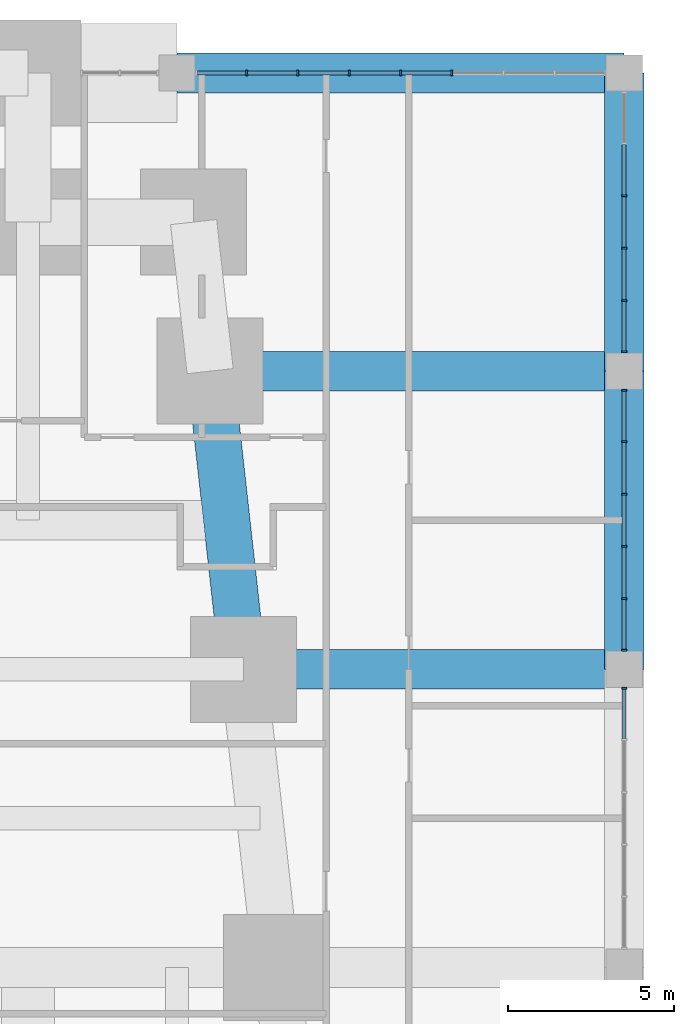
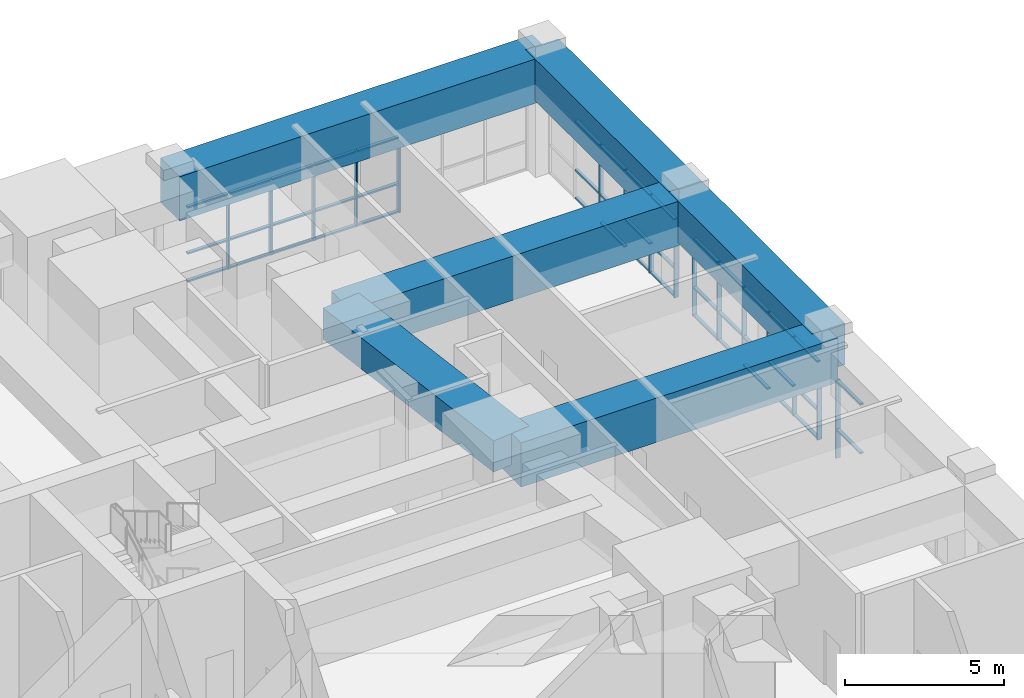
# One storey, part 12 of 22: 60 members, 6 beams, 4 elements without a shape of their own.
"""IFC4 building model written with IfcOpenShell, lengths in metres."""

from ifc_helpers import new_model, si_unit, direction, frame, origin, origin_2d, place, context, subcontext, project, spatial, rectangle, extrude, material, material_profile, profile_set, type_object, element, aggregate, save


model = new_model("IFC4")

# Units and contexts
model_context = context("Model", 3, precision=1e-05, world=origin(), true_north=direction((0.0, 1.0)))
body_context = subcontext(model_context, "Body", "Model", "MODEL_VIEW")
ifc_project = project(units=[si_unit("LENGTHUNIT", "METRE"), si_unit("AREAUNIT", "SQUARE_METRE"), si_unit("VOLUMEUNIT", "CUBIC_METRE"), si_unit("PLANEANGLEUNIT", "RADIAN"), si_unit("MASSUNIT", "GRAM", prefix="KILO")], contexts=[model_context])

# Site, building, storey
site_placement = place(None, origin())
site = spatial("IfcSite", under=ifc_project, at=site_placement, CompositionType="ELEMENT")
building_placement = place(site_placement, origin())
building = spatial("IfcBuilding", under=site, at=building_placement, Name="Kilele Tower Hotel", CompositionType="ELEMENT")
storey_placement = place(building_placement, frame((0.0, 0.0, 19.0)))
storey = spatial("IfcBuildingStorey", under=building, at=storey_placement, Name="L03", CompositionType="ELEMENT", Elevation=19.0)

# Beams
ifc_material_1 = material(Name="Concrete C60/75", Category="concrete")
ifc_material_profile_1 = material_profile(ifc_material_1, rectangle(XDim=1.199951171875, YDim=1.60009765625, at=origin_2d()))
ifc_profile_set_1 = profile_set([ifc_material_profile_1], Name="Concrete C60/75")
beam_type_1 = type_object("IfcBeamType", Name="Beam RC 1200x1600 C60/75", PredefinedType="BEAM", material=ifc_profile_set_1)
for number, where, z_axis, x_axis, name in (
    (1, (58.5, 22.5, 3.800048828125), (0.0, 1.0, 0.0), (-1.0, 0.0, 0.0), "Beam PB2 level L04"),
    (2, (58.5, 31.5, 3.800048828125), (0.0, 1.0, 0.0), (-1.0, 0.0, 0.0), "Beam PB2 level L04"),
):
    element("IfcBeam", number, at=place(storey_placement, frame(where, z_axis=z_axis, x_axis=x_axis)), inside=storey, type_object=beam_type_1, Name=name, PredefinedType="BEAM", context=body_context, shape_type="SweptSolid", body=[
        extrude(rectangle(XDim=1.199951171875, YDim=1.60009765625, at=origin_2d()), origin(), (0.0, 0.0, 1.0), 9.0),
    ])
ifc_material_2 = material(Name="Concrete C60/75", Category="concrete")
ifc_material_profile_2 = material_profile(ifc_material_2, rectangle(XDim=1.199951171875, YDim=1.699951171875, at=origin_2d()))
ifc_profile_set_2 = profile_set([ifc_material_profile_2], Name="Concrete C60/75")
beam_type_2 = type_object("IfcBeamType", Name="Beam RC 1200x1700 C60/75", PredefinedType="BEAM", material=ifc_profile_set_2)
beam_1_placement = place(storey_placement, frame((46.0, 31.5, 3.75), z_axis=(1.0, 0.0, 0.0), x_axis=(0.0, 1.0, 0.0)))
element("IfcBeam", 3, at=beam_1_placement, inside=storey, type_object=beam_type_2, Name="Beam PB3 level L04", PredefinedType="BEAM", context=body_context, shape_type="SweptSolid", body=[
    extrude(rectangle(XDim=1.199951171875, YDim=1.699951171875, at=origin_2d()), origin(), (0.0, 0.0, 1.0), 12.5),
])
beam_2_placement = place(storey_placement, frame((45.0, 40.5, 3.75), z_axis=(1.0, 0.0, 0.0), x_axis=(0.0, 1.0, 0.0)))
element("IfcBeam", 4, at=beam_2_placement, inside=storey, type_object=beam_type_2, Name="Beam PB3 level L04", PredefinedType="BEAM", context=body_context, shape_type="SweptSolid", body=[
    extrude(rectangle(XDim=1.199951171875, YDim=1.699951171875, at=origin_2d()), origin(), (0.0, 0.0, 1.0), 13.5),
])
ifc_material_3 = material(Name="Concrete C60/75", Category="concrete")
ifc_material_profile_3 = material_profile(ifc_material_3, rectangle(XDim=1.199951171875, YDim=1.699951171875, at=origin_2d()))
ifc_profile_set_3 = profile_set([ifc_material_profile_3], Name="Concrete C60/75")
beam_type_3 = type_object("IfcBeamType", Name="Beam RC 1200x1700 C60/75 mid span", PredefinedType="BEAM", material=ifc_profile_set_3)
beam_3_placement = place(storey_placement, frame((47.0, 22.5, 3.75), z_axis=(1.0, 0.0, 0.0), x_axis=(0.0, 1.0, 0.0)))
element("IfcBeam", 5, at=beam_3_placement, inside=storey, type_object=beam_type_3, Name="Beam PB4 level L04", PredefinedType="BEAM", context=body_context, shape_type="SweptSolid", body=[
    extrude(rectangle(XDim=1.199951171875, YDim=1.699951171875, at=origin_2d()), origin(), (0.0, 0.0, 1.0), 11.5),
])

# Curtain wall, members
ifc_material_4 = material(Name="Aluminium curtain wall, clear double glazing", Category="aluminium")
curtain_wall_type_1 = type_object("IfcCurtainWallType", Name="Podium curtain wall CW-1", PredefinedType="NOTDEFINED", material=ifc_material_4)
curtain_wall_1_placement = place(storey_placement, origin())
curtain_wall_1 = element("IfcCurtainWall", 6, at=curtain_wall_1_placement, inside=storey, type_object=curtain_wall_type_1, Name="Podium curtain wall CW-1 L03", PredefinedType="NOTDEFINED")
ifc_material_5 = material(Name="Aluminium EN AW-6063 T6", Category="aluminium")
ifc_material_profile_4 = material_profile(ifc_material_5, rectangle(XDim=0.159912109375, YDim=0.06005859375, at=origin_2d()))
ifc_profile_set_4 = profile_set([ifc_material_profile_4], Name="Aluminium EN AW-6063 T6")
member_type_1 = type_object("IfcMemberType", Name="Mullion 60x160 CW-1", PredefinedType="MULLION", material=ifc_profile_set_4)
member_1_placement = place(storey_placement, frame((53.300048828125, 40.5, 0.0), z_axis=(0.0, 0.0, 1.0), x_axis=(0.0, -1.0, 0.0)))
member_1 = element("IfcMember", 7, at=member_1_placement, type_object=member_type_1, Name="CW-1 mullion 4", PredefinedType="MULLION", context=body_context, shape_type="SweptSolid", body=[
    extrude(rectangle(XDim=0.159912109375, YDim=0.06005859375, at=origin_2d()), origin(), (0.0, 0.0, 1.0), 2.89990234375),
])
member_2_placement = place(storey_placement, frame((51.75, 40.5, 0.0), z_axis=(0.0, 0.0, 1.0), x_axis=(0.0, -1.0, 0.0)))
member_2 = element("IfcMember", 8, at=member_2_placement, type_object=member_type_1, Name="CW-1 mullion 5", PredefinedType="MULLION", context=body_context, shape_type="SweptSolid", body=[
    extrude(rectangle(XDim=0.159912109375, YDim=0.06005859375, at=origin_2d()), origin(), (0.0, 0.0, 1.0), 2.89990234375),
])
member_3_placement = place(storey_placement, frame((50.199951171875, 40.5, 0.0), z_axis=(0.0, 0.0, 1.0), x_axis=(0.0, -1.0, 0.0)))
member_3 = element("IfcMember", 9, at=member_3_placement, type_object=member_type_1, Name="CW-1 mullion 6", PredefinedType="MULLION", context=body_context, shape_type="SweptSolid", body=[
    extrude(rectangle(XDim=0.159912109375, YDim=0.06005859375, at=origin_2d()), origin(), (0.0, 0.0, 1.0), 2.89990234375),
])
member_4_placement = place(storey_placement, frame((48.64990234375, 40.5, 0.0), z_axis=(0.0, 0.0, 1.0), x_axis=(0.0, -1.0, 0.0)))
member_4 = element("IfcMember", 10, at=member_4_placement, type_object=member_type_1, Name="CW-1 mullion 7", PredefinedType="MULLION", context=body_context, shape_type="SweptSolid", body=[
    extrude(rectangle(XDim=0.159912109375, YDim=0.06005859375, at=origin_2d()), origin(), (0.0, 0.0, 1.0), 2.89990234375),
])
member_5_placement = place(storey_placement, frame((47.10009765625, 40.5, 0.0), z_axis=(0.0, 0.0, 1.0), x_axis=(0.0, -1.0, 0.0)))
member_5 = element("IfcMember", 11, at=member_5_placement, type_object=member_type_1, Name="CW-1 mullion 8", PredefinedType="MULLION", context=body_context, shape_type="SweptSolid", body=[
    extrude(rectangle(XDim=0.159912109375, YDim=0.06005859375, at=origin_2d()), origin(), (0.0, 0.0, 1.0), 2.89990234375),
])

# Curtain wall, member
ifc_material_6 = material(Name="Aluminium curtain wall, clear double glazing", Category="aluminium")
curtain_wall_type_2 = type_object("IfcCurtainWallType", Name="Podium side curtain wall CW-2", PredefinedType="NOTDEFINED", material=ifc_material_6)
curtain_wall_2_placement = place(storey_placement, origin())
curtain_wall_2 = element("IfcCurtainWall", 12, at=curtain_wall_2_placement, inside=storey, type_object=curtain_wall_type_2, Name="Podium side curtain wall CW-2 L03", PredefinedType="NOTDEFINED")
ifc_material_7 = material(Name="Aluminium EN AW-6063 T6", Category="aluminium")
ifc_material_profile_5 = material_profile(ifc_material_7, rectangle(XDim=0.159912109375, YDim=0.06005859375, at=origin_2d()))
ifc_profile_set_5 = profile_set([ifc_material_profile_5], Name="Aluminium EN AW-6063 T6")
member_type_2 = type_object("IfcMemberType", Name="Mullion 60x160 CW-2", PredefinedType="MULLION", material=ifc_profile_set_5)
member_6_placement = place(storey_placement, frame((58.5, 21.919921875, 0.0), z_axis=(0.0, 0.0, 1.0), x_axis=(-1.0, 0.0, 0.0)))
member_6 = element("IfcMember", 13, at=member_6_placement, type_object=member_type_2, Name="CW-2 mullion 6", PredefinedType="MULLION", context=body_context, shape_type="SweptSolid", body=[
    extrude(rectangle(XDim=0.159912109375, YDim=0.06005859375, at=origin_2d()), origin(), (0.0, 0.0, 1.0), 3.0),
])

# Curtain wall, members
curtain_wall_3_placement = place(storey_placement, origin())
curtain_wall_3 = element("IfcCurtainWall", 14, at=curtain_wall_3_placement, inside=storey, type_object=curtain_wall_type_2, Name="Podium side curtain wall CW-2 L03", PredefinedType="NOTDEFINED")
member_7_placement = place(storey_placement, frame((58.5, 23.080078125, 0.0), z_axis=(0.0, 0.0, 1.0), x_axis=(-1.0, 0.0, 0.0)))
member_7 = element("IfcMember", 15, at=member_7_placement, type_object=member_type_2, Name="CW-2 mullion 1", PredefinedType="MULLION", context=body_context, shape_type="SweptSolid", body=[
    extrude(rectangle(XDim=0.159912109375, YDim=0.06005859375, at=origin_2d()), origin(), (0.0, 0.0, 1.0), 3.0),
])
member_8_placement = place(storey_placement, frame((58.5, 24.6298828125, 0.0), z_axis=(0.0, 0.0, 1.0), x_axis=(-1.0, 0.0, 0.0)))
member_8 = element("IfcMember", 16, at=member_8_placement, type_object=member_type_2, Name="CW-2 mullion 2", PredefinedType="MULLION", context=body_context, shape_type="SweptSolid", body=[
    extrude(rectangle(XDim=0.159912109375, YDim=0.06005859375, at=origin_2d()), origin(), (0.0, 0.0, 1.0), 3.0),
])
member_9_placement = place(storey_placement, frame((58.5, 26.2099609375, 0.0), z_axis=(0.0, 0.0, 1.0), x_axis=(-1.0, 0.0, 0.0)))
member_9 = element("IfcMember", 17, at=member_9_placement, type_object=member_type_2, Name="CW-2 mullion 3", PredefinedType="MULLION", context=body_context, shape_type="SweptSolid", body=[
    extrude(rectangle(XDim=0.159912109375, YDim=0.06005859375, at=origin_2d()), origin(), (0.0, 0.0, 1.0), 3.0),
])
member_10_placement = place(storey_placement, frame((58.5, 27.7900390625, 0.0), z_axis=(0.0, 0.0, 1.0), x_axis=(-1.0, 0.0, 0.0)))
member_10 = element("IfcMember", 18, at=member_10_placement, type_object=member_type_2, Name="CW-2 mullion 4", PredefinedType="MULLION", context=body_context, shape_type="SweptSolid", body=[
    extrude(rectangle(XDim=0.159912109375, YDim=0.06005859375, at=origin_2d()), origin(), (0.0, 0.0, 1.0), 3.0),
])
member_11_placement = place(storey_placement, frame((58.5, 29.3701171875, 0.0), z_axis=(0.0, 0.0, 1.0), x_axis=(-1.0, 0.0, 0.0)))
member_11 = element("IfcMember", 19, at=member_11_placement, type_object=member_type_2, Name="CW-2 mullion 5", PredefinedType="MULLION", context=body_context, shape_type="SweptSolid", body=[
    extrude(rectangle(XDim=0.159912109375, YDim=0.06005859375, at=origin_2d()), origin(), (0.0, 0.0, 1.0), 3.0),
])
member_12_placement = place(storey_placement, frame((58.5, 30.919921875, 0.0), z_axis=(0.0, 0.0, 1.0), x_axis=(-1.0, 0.0, 0.0)))
member_12 = element("IfcMember", 20, at=member_12_placement, type_object=member_type_2, Name="CW-2 mullion 6", PredefinedType="MULLION", context=body_context, shape_type="SweptSolid", body=[
    extrude(rectangle(XDim=0.159912109375, YDim=0.06005859375, at=origin_2d()), origin(), (0.0, 0.0, 1.0), 3.0),
])

curtain_wall_4_placement = place(storey_placement, origin())
curtain_wall_4 = element("IfcCurtainWall", 21, at=curtain_wall_4_placement, inside=storey, type_object=curtain_wall_type_2, Name="Podium side curtain wall CW-2 L03", PredefinedType="NOTDEFINED")
member_13_placement = place(storey_placement, frame((58.5, 32.080078125, 0.0), z_axis=(0.0, 0.0, 1.0), x_axis=(-1.0, 0.0, 0.0)))
member_13 = element("IfcMember", 22, at=member_13_placement, type_object=member_type_2, Name="CW-2 mullion 1", PredefinedType="MULLION", context=body_context, shape_type="SweptSolid", body=[
    extrude(rectangle(XDim=0.159912109375, YDim=0.06005859375, at=origin_2d()), origin(), (0.0, 0.0, 1.0), 3.0),
])
member_14_placement = place(storey_placement, frame((58.5, 33.6298828125, 0.0), z_axis=(0.0, 0.0, 1.0), x_axis=(-1.0, 0.0, 0.0)))
member_14 = element("IfcMember", 23, at=member_14_placement, type_object=member_type_2, Name="CW-2 mullion 2", PredefinedType="MULLION", context=body_context, shape_type="SweptSolid", body=[
    extrude(rectangle(XDim=0.159912109375, YDim=0.06005859375, at=origin_2d()), origin(), (0.0, 0.0, 1.0), 3.0),
])
member_15_placement = place(storey_placement, frame((58.5, 35.2099609375, 0.0), z_axis=(0.0, 0.0, 1.0), x_axis=(-1.0, 0.0, 0.0)))
member_15 = element("IfcMember", 24, at=member_15_placement, type_object=member_type_2, Name="CW-2 mullion 3", PredefinedType="MULLION", context=body_context, shape_type="SweptSolid", body=[
    extrude(rectangle(XDim=0.159912109375, YDim=0.06005859375, at=origin_2d()), origin(), (0.0, 0.0, 1.0), 3.0),
])
member_16_placement = place(storey_placement, frame((58.5, 36.7900390625, 0.0), z_axis=(0.0, 0.0, 1.0), x_axis=(-1.0, 0.0, 0.0)))
member_16 = element("IfcMember", 25, at=member_16_placement, type_object=member_type_2, Name="CW-2 mullion 4", PredefinedType="MULLION", context=body_context, shape_type="SweptSolid", body=[
    extrude(rectangle(XDim=0.159912109375, YDim=0.06005859375, at=origin_2d()), origin(), (0.0, 0.0, 1.0), 3.0),
])

# Beam
ifc_material_8 = material(Name="Concrete C60/75", Category="concrete")
ifc_material_profile_6 = material_profile(ifc_material_8, rectangle(XDim=1.39990234375, YDim=1.199951171875, at=origin_2d()))
ifc_profile_set_6 = profile_set([ifc_material_profile_6], Name="Concrete C60/75")
beam_type_4 = type_object("IfcBeamType", Name="Spandrel RC 1400x1200 C60/75", PredefinedType="SPANDREL", material=ifc_profile_set_6)
beam_4_placement = place(storey_placement, frame((47.0, 22.5, 4.0), z_axis=(-0.110431526075, 0.993883734674, 0.0), x_axis=(-0.993883734674, -0.110431526075, 0.0)))
element("IfcBeam", 26, at=beam_4_placement, inside=storey, type_object=beam_type_4, Name="Spandrel SP10 level L04", PredefinedType="SPANDREL", context=body_context, shape_type="SweptSolid", body=[
    extrude(rectangle(XDim=1.39990234375, YDim=1.199951171875, at=origin_2d()), origin(), (0.0, 0.0, 1.0), 9.055419921875),
])

# Member
ifc_material_9 = material(Name="Aluminium EN AW-6063 T6", Category="aluminium")
ifc_material_profile_7 = material_profile(ifc_material_9, rectangle(XDim=0.1201171875, YDim=0.06005859375, at=origin_2d()))
ifc_profile_set_7 = profile_set([ifc_material_profile_7], Name="Aluminium EN AW-6063 T6")
member_type_3 = type_object("IfcMemberType", Name="Transom 60x120 CW-1", PredefinedType="USERDEFINED", material=ifc_profile_set_7)
member_17_placement = place(storey_placement, frame((53.27001953125, 40.5, 0.030029296875), z_axis=(-1.0, 0.0, 0.0), x_axis=(0.0, -1.0, 0.0)))
member_17 = element("IfcMember", 27, at=member_17_placement, type_object=member_type_3, Name="CW-1 transom 4.1", ObjectType="TRANSOM", PredefinedType="USERDEFINED", context=body_context, shape_type="SweptSolid", body=[
    extrude(rectangle(XDim=0.1201171875, YDim=0.06005859375, at=origin_2d()), origin(), (0.0, 0.0, 1.0), 1.489990234375),
])

member_18_placement = place(storey_placement, frame((53.27001953125, 40.5, 1.10009765625), z_axis=(-1.0, 0.0, 0.0), x_axis=(0.0, -1.0, 0.0)))
member_18 = element("IfcMember", 28, at=member_18_placement, type_object=member_type_3, Name="CW-1 transom 4.2", ObjectType="TRANSOM", PredefinedType="USERDEFINED", context=body_context, shape_type="SweptSolid", body=[
    extrude(rectangle(XDim=0.1201171875, YDim=0.06005859375, at=origin_2d()), origin(), (0.0, 0.0, 1.0), 1.489990234375),
])

member_19_placement = place(storey_placement, frame((53.27001953125, 40.5, 2.8701171875), z_axis=(-1.0, 0.0, 0.0), x_axis=(0.0, -1.0, 0.0)))
member_19 = element("IfcMember", 29, at=member_19_placement, type_object=member_type_3, Name="CW-1 transom 4.3", ObjectType="TRANSOM", PredefinedType="USERDEFINED", context=body_context, shape_type="SweptSolid", body=[
    extrude(rectangle(XDim=0.1201171875, YDim=0.06005859375, at=origin_2d()), origin(), (0.0, 0.0, 1.0), 1.489990234375),
])

member_20_placement = place(storey_placement, frame((51.719970703125, 40.5, 0.030029296875), z_axis=(-1.0, 0.0, 0.0), x_axis=(0.0, -1.0, 0.0)))
member_20 = element("IfcMember", 30, at=member_20_placement, type_object=member_type_3, Name="CW-1 transom 5.1", ObjectType="TRANSOM", PredefinedType="USERDEFINED", context=body_context, shape_type="SweptSolid", body=[
    extrude(rectangle(XDim=0.1201171875, YDim=0.06005859375, at=origin_2d()), origin(), (0.0, 0.0, 1.0), 1.489990234375),
])

member_21_placement = place(storey_placement, frame((51.719970703125, 40.5, 1.10009765625), z_axis=(-1.0, 0.0, 0.0), x_axis=(0.0, -1.0, 0.0)))
member_21 = element("IfcMember", 31, at=member_21_placement, type_object=member_type_3, Name="CW-1 transom 5.2", ObjectType="TRANSOM", PredefinedType="USERDEFINED", context=body_context, shape_type="SweptSolid", body=[
    extrude(rectangle(XDim=0.1201171875, YDim=0.06005859375, at=origin_2d()), origin(), (0.0, 0.0, 1.0), 1.489990234375),
])

member_22_placement = place(storey_placement, frame((51.719970703125, 40.5, 2.8701171875), z_axis=(-1.0, 0.0, 0.0), x_axis=(0.0, -1.0, 0.0)))
member_22 = element("IfcMember", 32, at=member_22_placement, type_object=member_type_3, Name="CW-1 transom 5.3", ObjectType="TRANSOM", PredefinedType="USERDEFINED", context=body_context, shape_type="SweptSolid", body=[
    extrude(rectangle(XDim=0.1201171875, YDim=0.06005859375, at=origin_2d()), origin(), (0.0, 0.0, 1.0), 1.489990234375),
])

member_23_placement = place(storey_placement, frame((50.169921875, 40.5, 0.030029296875), z_axis=(-1.0, 0.0, 0.0), x_axis=(0.0, -1.0, 0.0)))
member_23 = element("IfcMember", 33, at=member_23_placement, type_object=member_type_3, Name="CW-1 transom 6.1", ObjectType="TRANSOM", PredefinedType="USERDEFINED", context=body_context, shape_type="SweptSolid", body=[
    extrude(rectangle(XDim=0.1201171875, YDim=0.06005859375, at=origin_2d()), origin(), (0.0, 0.0, 1.0), 1.489990234375),
])

member_24_placement = place(storey_placement, frame((50.169921875, 40.5, 1.10009765625), z_axis=(-1.0, 0.0, 0.0), x_axis=(0.0, -1.0, 0.0)))
member_24 = element("IfcMember", 34, at=member_24_placement, type_object=member_type_3, Name="CW-1 transom 6.2", ObjectType="TRANSOM", PredefinedType="USERDEFINED", context=body_context, shape_type="SweptSolid", body=[
    extrude(rectangle(XDim=0.1201171875, YDim=0.06005859375, at=origin_2d()), origin(), (0.0, 0.0, 1.0), 1.489990234375),
])

member_25_placement = place(storey_placement, frame((50.169921875, 40.5, 2.8701171875), z_axis=(-1.0, 0.0, 0.0), x_axis=(0.0, -1.0, 0.0)))
member_25 = element("IfcMember", 35, at=member_25_placement, type_object=member_type_3, Name="CW-1 transom 6.3", ObjectType="TRANSOM", PredefinedType="USERDEFINED", context=body_context, shape_type="SweptSolid", body=[
    extrude(rectangle(XDim=0.1201171875, YDim=0.06005859375, at=origin_2d()), origin(), (0.0, 0.0, 1.0), 1.489990234375),
])

member_26_placement = place(storey_placement, frame((48.6201171875, 40.5, 0.030029296875), z_axis=(-1.0, 0.0, 0.0), x_axis=(0.0, -1.0, 0.0)))
member_26 = element("IfcMember", 36, at=member_26_placement, type_object=member_type_3, Name="CW-1 transom 7.1", ObjectType="TRANSOM", PredefinedType="USERDEFINED", context=body_context, shape_type="SweptSolid", body=[
    extrude(rectangle(XDim=0.1201171875, YDim=0.06005859375, at=origin_2d()), origin(), (0.0, 0.0, 1.0), 1.490234375),
])

member_27_placement = place(storey_placement, frame((48.6201171875, 40.5, 1.10009765625), z_axis=(-1.0, 0.0, 0.0), x_axis=(0.0, -1.0, 0.0)))
member_27 = element("IfcMember", 37, at=member_27_placement, type_object=member_type_3, Name="CW-1 transom 7.2", ObjectType="TRANSOM", PredefinedType="USERDEFINED", context=body_context, shape_type="SweptSolid", body=[
    extrude(rectangle(XDim=0.1201171875, YDim=0.06005859375, at=origin_2d()), origin(), (0.0, 0.0, 1.0), 1.490234375),
])

member_28_placement = place(storey_placement, frame((48.6201171875, 40.5, 2.8701171875), z_axis=(-1.0, 0.0, 0.0), x_axis=(0.0, -1.0, 0.0)))
member_28 = element("IfcMember", 38, at=member_28_placement, type_object=member_type_3, Name="CW-1 transom 7.3", ObjectType="TRANSOM", PredefinedType="USERDEFINED", context=body_context, shape_type="SweptSolid", body=[
    extrude(rectangle(XDim=0.1201171875, YDim=0.06005859375, at=origin_2d()), origin(), (0.0, 0.0, 1.0), 1.490234375),
])

member_29_placement = place(storey_placement, frame((47.070068359375, 40.5, 0.030029296875), z_axis=(-1.0, 0.0, 0.0), x_axis=(0.0, -1.0, 0.0)))
member_29 = element("IfcMember", 39, at=member_29_placement, type_object=member_type_3, Name="CW-1 transom 8.1", ObjectType="TRANSOM", PredefinedType="USERDEFINED", context=body_context, shape_type="SweptSolid", body=[
    extrude(rectangle(XDim=0.1201171875, YDim=0.06005859375, at=origin_2d()), origin(), (0.0, 0.0, 1.0), 1.4599609375),
])

member_30_placement = place(storey_placement, frame((47.070068359375, 40.5, 1.10009765625), z_axis=(-1.0, 0.0, 0.0), x_axis=(0.0, -1.0, 0.0)))
member_30 = element("IfcMember", 40, at=member_30_placement, type_object=member_type_3, Name="CW-1 transom 8.2", ObjectType="TRANSOM", PredefinedType="USERDEFINED", context=body_context, shape_type="SweptSolid", body=[
    extrude(rectangle(XDim=0.1201171875, YDim=0.06005859375, at=origin_2d()), origin(), (0.0, 0.0, 1.0), 1.4599609375),
])

member_31_placement = place(storey_placement, frame((47.070068359375, 40.5, 2.8701171875), z_axis=(-1.0, 0.0, 0.0), x_axis=(0.0, -1.0, 0.0)))
member_31 = element("IfcMember", 41, at=member_31_placement, type_object=member_type_3, Name="CW-1 transom 8.3", ObjectType="TRANSOM", PredefinedType="USERDEFINED", context=body_context, shape_type="SweptSolid", body=[
    extrude(rectangle(XDim=0.1201171875, YDim=0.06005859375, at=origin_2d()), origin(), (0.0, 0.0, 1.0), 1.4599609375),
])

aggregate(curtain_wall_1, [member_1, member_2, member_3, member_4, member_5, member_17, member_18, member_19, member_20, member_21, member_22, member_23, member_24, member_25, member_26, member_27, member_28, member_29, member_30, member_31])

ifc_material_10 = material(Name="Aluminium EN AW-6063 T6", Category="aluminium")
ifc_material_profile_8 = material_profile(ifc_material_10, rectangle(XDim=0.1201171875, YDim=0.06005859375, at=origin_2d()))
ifc_profile_set_8 = profile_set([ifc_material_profile_8], Name="Aluminium EN AW-6063 T6")
member_type_4 = type_object("IfcMemberType", Name="Transom 60x120 CW-2", PredefinedType="USERDEFINED", material=ifc_profile_set_8)
member_32_placement = place(storey_placement, frame((58.5, 20.39990234375, 1.10009765625), z_axis=(0.0, 1.0, 0.0), x_axis=(-1.0, 0.0, 0.0)))
member_32 = element("IfcMember", 42, at=member_32_placement, type_object=member_type_4, Name="CW-2 transom 5.2", ObjectType="TRANSOM", PredefinedType="USERDEFINED", context=body_context, shape_type="SweptSolid", body=[
    extrude(rectangle(XDim=0.1201171875, YDim=0.06005859375, at=origin_2d()), origin(), (0.0, 0.0, 1.0), 1.489990234375),
])

member_33_placement = place(storey_placement, frame((58.5, 20.39990234375, 2.969970703125), z_axis=(0.0, 1.0, 0.0), x_axis=(-1.0, 0.0, 0.0)))
member_33 = element("IfcMember", 43, at=member_33_placement, type_object=member_type_4, Name="CW-2 transom 5.3", ObjectType="TRANSOM", PredefinedType="USERDEFINED", context=body_context, shape_type="SweptSolid", body=[
    extrude(rectangle(XDim=0.1201171875, YDim=0.06005859375, at=origin_2d()), origin(), (0.0, 0.0, 1.0), 1.489990234375),
])

aggregate(curtain_wall_2, [member_6, member_32, member_33])

member_34_placement = place(storey_placement, frame((58.5, 23.110107421875, 0.030029296875), z_axis=(0.0, 1.0, 0.0), x_axis=(-1.0, 0.0, 0.0)))
member_34 = element("IfcMember", 44, at=member_34_placement, type_object=member_type_4, Name="CW-2 transom 1.1", ObjectType="TRANSOM", PredefinedType="USERDEFINED", context=body_context, shape_type="SweptSolid", body=[
    extrude(rectangle(XDim=0.1201171875, YDim=0.06005859375, at=origin_2d()), origin(), (0.0, 0.0, 1.0), 1.489990234375),
])

member_35_placement = place(storey_placement, frame((58.5, 23.110107421875, 1.10009765625), z_axis=(0.0, 1.0, 0.0), x_axis=(-1.0, 0.0, 0.0)))
member_35 = element("IfcMember", 45, at=member_35_placement, type_object=member_type_4, Name="CW-2 transom 1.2", ObjectType="TRANSOM", PredefinedType="USERDEFINED", context=body_context, shape_type="SweptSolid", body=[
    extrude(rectangle(XDim=0.1201171875, YDim=0.06005859375, at=origin_2d()), origin(), (0.0, 0.0, 1.0), 1.489990234375),
])

member_36_placement = place(storey_placement, frame((58.5, 23.110107421875, 2.969970703125), z_axis=(0.0, 1.0, 0.0), x_axis=(-1.0, 0.0, 0.0)))
member_36 = element("IfcMember", 46, at=member_36_placement, type_object=member_type_4, Name="CW-2 transom 1.3", ObjectType="TRANSOM", PredefinedType="USERDEFINED", context=body_context, shape_type="SweptSolid", body=[
    extrude(rectangle(XDim=0.1201171875, YDim=0.06005859375, at=origin_2d()), origin(), (0.0, 0.0, 1.0), 1.489990234375),
])

member_37_placement = place(storey_placement, frame((58.5, 24.659912109375, 0.030029296875), z_axis=(0.0, 1.0, 0.0), x_axis=(-1.0, 0.0, 0.0)))
member_37 = element("IfcMember", 47, at=member_37_placement, type_object=member_type_4, Name="CW-2 transom 2.1", ObjectType="TRANSOM", PredefinedType="USERDEFINED", context=body_context, shape_type="SweptSolid", body=[
    extrude(rectangle(XDim=0.1201171875, YDim=0.06005859375, at=origin_2d()), origin(), (0.0, 0.0, 1.0), 1.52001953125),
])

member_38_placement = place(storey_placement, frame((58.5, 24.659912109375, 1.10009765625), z_axis=(0.0, 1.0, 0.0), x_axis=(-1.0, 0.0, 0.0)))
member_38 = element("IfcMember", 48, at=member_38_placement, type_object=member_type_4, Name="CW-2 transom 2.2", ObjectType="TRANSOM", PredefinedType="USERDEFINED", context=body_context, shape_type="SweptSolid", body=[
    extrude(rectangle(XDim=0.1201171875, YDim=0.06005859375, at=origin_2d()), origin(), (0.0, 0.0, 1.0), 1.52001953125),
])

member_39_placement = place(storey_placement, frame((58.5, 24.659912109375, 2.969970703125), z_axis=(0.0, 1.0, 0.0), x_axis=(-1.0, 0.0, 0.0)))
member_39 = element("IfcMember", 49, at=member_39_placement, type_object=member_type_4, Name="CW-2 transom 2.3", ObjectType="TRANSOM", PredefinedType="USERDEFINED", context=body_context, shape_type="SweptSolid", body=[
    extrude(rectangle(XDim=0.1201171875, YDim=0.06005859375, at=origin_2d()), origin(), (0.0, 0.0, 1.0), 1.52001953125),
])

member_40_placement = place(storey_placement, frame((58.5, 26.239990234375, 0.030029296875), z_axis=(0.0, 1.0, 0.0), x_axis=(-1.0, 0.0, 0.0)))
member_40 = element("IfcMember", 50, at=member_40_placement, type_object=member_type_4, Name="CW-2 transom 3.1", ObjectType="TRANSOM", PredefinedType="USERDEFINED", context=body_context, shape_type="SweptSolid", body=[
    extrude(rectangle(XDim=0.1201171875, YDim=0.06005859375, at=origin_2d()), origin(), (0.0, 0.0, 1.0), 1.52001953125),
])

member_41_placement = place(storey_placement, frame((58.5, 26.239990234375, 1.10009765625), z_axis=(0.0, 1.0, 0.0), x_axis=(-1.0, 0.0, 0.0)))
member_41 = element("IfcMember", 51, at=member_41_placement, type_object=member_type_4, Name="CW-2 transom 3.2", ObjectType="TRANSOM", PredefinedType="USERDEFINED", context=body_context, shape_type="SweptSolid", body=[
    extrude(rectangle(XDim=0.1201171875, YDim=0.06005859375, at=origin_2d()), origin(), (0.0, 0.0, 1.0), 1.52001953125),
])

member_42_placement = place(storey_placement, frame((58.5, 26.239990234375, 2.969970703125), z_axis=(0.0, 1.0, 0.0), x_axis=(-1.0, 0.0, 0.0)))
member_42 = element("IfcMember", 52, at=member_42_placement, type_object=member_type_4, Name="CW-2 transom 3.3", ObjectType="TRANSOM", PredefinedType="USERDEFINED", context=body_context, shape_type="SweptSolid", body=[
    extrude(rectangle(XDim=0.1201171875, YDim=0.06005859375, at=origin_2d()), origin(), (0.0, 0.0, 1.0), 1.52001953125),
])

member_43_placement = place(storey_placement, frame((58.5, 27.820068359375, 0.030029296875), z_axis=(0.0, 1.0, 0.0), x_axis=(-1.0, 0.0, 0.0)))
member_43 = element("IfcMember", 53, at=member_43_placement, type_object=member_type_4, Name="CW-2 transom 4.1", ObjectType="TRANSOM", PredefinedType="USERDEFINED", context=body_context, shape_type="SweptSolid", body=[
    extrude(rectangle(XDim=0.1201171875, YDim=0.06005859375, at=origin_2d()), origin(), (0.0, 0.0, 1.0), 1.52001953125),
])

member_44_placement = place(storey_placement, frame((58.5, 27.820068359375, 1.10009765625), z_axis=(0.0, 1.0, 0.0), x_axis=(-1.0, 0.0, 0.0)))
member_44 = element("IfcMember", 54, at=member_44_placement, type_object=member_type_4, Name="CW-2 transom 4.2", ObjectType="TRANSOM", PredefinedType="USERDEFINED", context=body_context, shape_type="SweptSolid", body=[
    extrude(rectangle(XDim=0.1201171875, YDim=0.06005859375, at=origin_2d()), origin(), (0.0, 0.0, 1.0), 1.52001953125),
])

member_45_placement = place(storey_placement, frame((58.5, 27.820068359375, 2.969970703125), z_axis=(0.0, 1.0, 0.0), x_axis=(-1.0, 0.0, 0.0)))
member_45 = element("IfcMember", 55, at=member_45_placement, type_object=member_type_4, Name="CW-2 transom 4.3", ObjectType="TRANSOM", PredefinedType="USERDEFINED", context=body_context, shape_type="SweptSolid", body=[
    extrude(rectangle(XDim=0.1201171875, YDim=0.06005859375, at=origin_2d()), origin(), (0.0, 0.0, 1.0), 1.52001953125),
])

member_46_placement = place(storey_placement, frame((58.5, 29.39990234375, 0.030029296875), z_axis=(0.0, 1.0, 0.0), x_axis=(-1.0, 0.0, 0.0)))
member_46 = element("IfcMember", 56, at=member_46_placement, type_object=member_type_4, Name="CW-2 transom 5.1", ObjectType="TRANSOM", PredefinedType="USERDEFINED", context=body_context, shape_type="SweptSolid", body=[
    extrude(rectangle(XDim=0.1201171875, YDim=0.06005859375, at=origin_2d()), origin(), (0.0, 0.0, 1.0), 1.489990234375),
])

member_47_placement = place(storey_placement, frame((58.5, 29.39990234375, 1.10009765625), z_axis=(0.0, 1.0, 0.0), x_axis=(-1.0, 0.0, 0.0)))
member_47 = element("IfcMember", 57, at=member_47_placement, type_object=member_type_4, Name="CW-2 transom 5.2", ObjectType="TRANSOM", PredefinedType="USERDEFINED", context=body_context, shape_type="SweptSolid", body=[
    extrude(rectangle(XDim=0.1201171875, YDim=0.06005859375, at=origin_2d()), origin(), (0.0, 0.0, 1.0), 1.489990234375),
])

member_48_placement = place(storey_placement, frame((58.5, 29.39990234375, 2.969970703125), z_axis=(0.0, 1.0, 0.0), x_axis=(-1.0, 0.0, 0.0)))
member_48 = element("IfcMember", 58, at=member_48_placement, type_object=member_type_4, Name="CW-2 transom 5.3", ObjectType="TRANSOM", PredefinedType="USERDEFINED", context=body_context, shape_type="SweptSolid", body=[
    extrude(rectangle(XDim=0.1201171875, YDim=0.06005859375, at=origin_2d()), origin(), (0.0, 0.0, 1.0), 1.489990234375),
])

aggregate(curtain_wall_3, [member_7, member_8, member_9, member_10, member_11, member_12, member_34, member_35, member_36, member_37, member_38, member_39, member_40, member_41, member_42, member_43, member_44, member_45, member_46, member_47, member_48])

member_49_placement = place(storey_placement, frame((58.5, 32.110107421875, 0.030029296875), z_axis=(0.0, 1.0, 0.0), x_axis=(-1.0, 0.0, 0.0)))
member_49 = element("IfcMember", 59, at=member_49_placement, type_object=member_type_4, Name="CW-2 transom 1.1", ObjectType="TRANSOM", PredefinedType="USERDEFINED", context=body_context, shape_type="SweptSolid", body=[
    extrude(rectangle(XDim=0.1201171875, YDim=0.06005859375, at=origin_2d()), origin(), (0.0, 0.0, 1.0), 1.489990234375),
])

member_50_placement = place(storey_placement, frame((58.5, 32.110107421875, 1.10009765625), z_axis=(0.0, 1.0, 0.0), x_axis=(-1.0, 0.0, 0.0)))
member_50 = element("IfcMember", 60, at=member_50_placement, type_object=member_type_4, Name="CW-2 transom 1.2", ObjectType="TRANSOM", PredefinedType="USERDEFINED", context=body_context, shape_type="SweptSolid", body=[
    extrude(rectangle(XDim=0.1201171875, YDim=0.06005859375, at=origin_2d()), origin(), (0.0, 0.0, 1.0), 1.489990234375),
])

member_51_placement = place(storey_placement, frame((58.5, 32.110107421875, 2.969970703125), z_axis=(0.0, 1.0, 0.0), x_axis=(-1.0, 0.0, 0.0)))
member_51 = element("IfcMember", 61, at=member_51_placement, type_object=member_type_4, Name="CW-2 transom 1.3", ObjectType="TRANSOM", PredefinedType="USERDEFINED", context=body_context, shape_type="SweptSolid", body=[
    extrude(rectangle(XDim=0.1201171875, YDim=0.06005859375, at=origin_2d()), origin(), (0.0, 0.0, 1.0), 1.489990234375),
])

member_52_placement = place(storey_placement, frame((58.5, 33.659912109375, 0.030029296875), z_axis=(0.0, 1.0, 0.0), x_axis=(-1.0, 0.0, 0.0)))
member_52 = element("IfcMember", 62, at=member_52_placement, type_object=member_type_4, Name="CW-2 transom 2.1", ObjectType="TRANSOM", PredefinedType="USERDEFINED", context=body_context, shape_type="SweptSolid", body=[
    extrude(rectangle(XDim=0.1201171875, YDim=0.06005859375, at=origin_2d()), origin(), (0.0, 0.0, 1.0), 1.52001953125),
])

member_53_placement = place(storey_placement, frame((58.5, 33.659912109375, 1.10009765625), z_axis=(0.0, 1.0, 0.0), x_axis=(-1.0, 0.0, 0.0)))
member_53 = element("IfcMember", 63, at=member_53_placement, type_object=member_type_4, Name="CW-2 transom 2.2", ObjectType="TRANSOM", PredefinedType="USERDEFINED", context=body_context, shape_type="SweptSolid", body=[
    extrude(rectangle(XDim=0.1201171875, YDim=0.06005859375, at=origin_2d()), origin(), (0.0, 0.0, 1.0), 1.52001953125),
])

member_54_placement = place(storey_placement, frame((58.5, 33.659912109375, 2.969970703125), z_axis=(0.0, 1.0, 0.0), x_axis=(-1.0, 0.0, 0.0)))
member_54 = element("IfcMember", 64, at=member_54_placement, type_object=member_type_4, Name="CW-2 transom 2.3", ObjectType="TRANSOM", PredefinedType="USERDEFINED", context=body_context, shape_type="SweptSolid", body=[
    extrude(rectangle(XDim=0.1201171875, YDim=0.06005859375, at=origin_2d()), origin(), (0.0, 0.0, 1.0), 1.52001953125),
])

member_55_placement = place(storey_placement, frame((58.5, 35.239990234375, 0.030029296875), z_axis=(0.0, 1.0, 0.0), x_axis=(-1.0, 0.0, 0.0)))
member_55 = element("IfcMember", 65, at=member_55_placement, type_object=member_type_4, Name="CW-2 transom 3.1", ObjectType="TRANSOM", PredefinedType="USERDEFINED", context=body_context, shape_type="SweptSolid", body=[
    extrude(rectangle(XDim=0.1201171875, YDim=0.06005859375, at=origin_2d()), origin(), (0.0, 0.0, 1.0), 1.52001953125),
])

member_56_placement = place(storey_placement, frame((58.5, 35.239990234375, 1.10009765625), z_axis=(0.0, 1.0, 0.0), x_axis=(-1.0, 0.0, 0.0)))
member_56 = element("IfcMember", 66, at=member_56_placement, type_object=member_type_4, Name="CW-2 transom 3.2", ObjectType="TRANSOM", PredefinedType="USERDEFINED", context=body_context, shape_type="SweptSolid", body=[
    extrude(rectangle(XDim=0.1201171875, YDim=0.06005859375, at=origin_2d()), origin(), (0.0, 0.0, 1.0), 1.52001953125),
])

member_57_placement = place(storey_placement, frame((58.5, 35.239990234375, 2.969970703125), z_axis=(0.0, 1.0, 0.0), x_axis=(-1.0, 0.0, 0.0)))
member_57 = element("IfcMember", 67, at=member_57_placement, type_object=member_type_4, Name="CW-2 transom 3.3", ObjectType="TRANSOM", PredefinedType="USERDEFINED", context=body_context, shape_type="SweptSolid", body=[
    extrude(rectangle(XDim=0.1201171875, YDim=0.06005859375, at=origin_2d()), origin(), (0.0, 0.0, 1.0), 1.52001953125),
])

member_58_placement = place(storey_placement, frame((58.5, 36.820068359375, 0.030029296875), z_axis=(0.0, 1.0, 0.0), x_axis=(-1.0, 0.0, 0.0)))
member_58 = element("IfcMember", 68, at=member_58_placement, type_object=member_type_4, Name="CW-2 transom 4.1", ObjectType="TRANSOM", PredefinedType="USERDEFINED", context=body_context, shape_type="SweptSolid", body=[
    extrude(rectangle(XDim=0.1201171875, YDim=0.06005859375, at=origin_2d()), origin(), (0.0, 0.0, 1.0), 1.52001953125),
])

member_59_placement = place(storey_placement, frame((58.5, 36.820068359375, 1.10009765625), z_axis=(0.0, 1.0, 0.0), x_axis=(-1.0, 0.0, 0.0)))
member_59 = element("IfcMember", 69, at=member_59_placement, type_object=member_type_4, Name="CW-2 transom 4.2", ObjectType="TRANSOM", PredefinedType="USERDEFINED", context=body_context, shape_type="SweptSolid", body=[
    extrude(rectangle(XDim=0.1201171875, YDim=0.06005859375, at=origin_2d()), origin(), (0.0, 0.0, 1.0), 1.52001953125),
])

member_60_placement = place(storey_placement, frame((58.5, 36.820068359375, 2.969970703125), z_axis=(0.0, 1.0, 0.0), x_axis=(-1.0, 0.0, 0.0)))
member_60 = element("IfcMember", 70, at=member_60_placement, type_object=member_type_4, Name="CW-2 transom 4.3", ObjectType="TRANSOM", PredefinedType="USERDEFINED", context=body_context, shape_type="SweptSolid", body=[
    extrude(rectangle(XDim=0.1201171875, YDim=0.06005859375, at=origin_2d()), origin(), (0.0, 0.0, 1.0), 1.52001953125),
])

aggregate(curtain_wall_4, [member_13, member_14, member_15, member_16, member_49, member_50, member_51, member_52, member_53, member_54, member_55, member_56, member_57, member_58, member_59, member_60])

save(model, "model.ifc")
